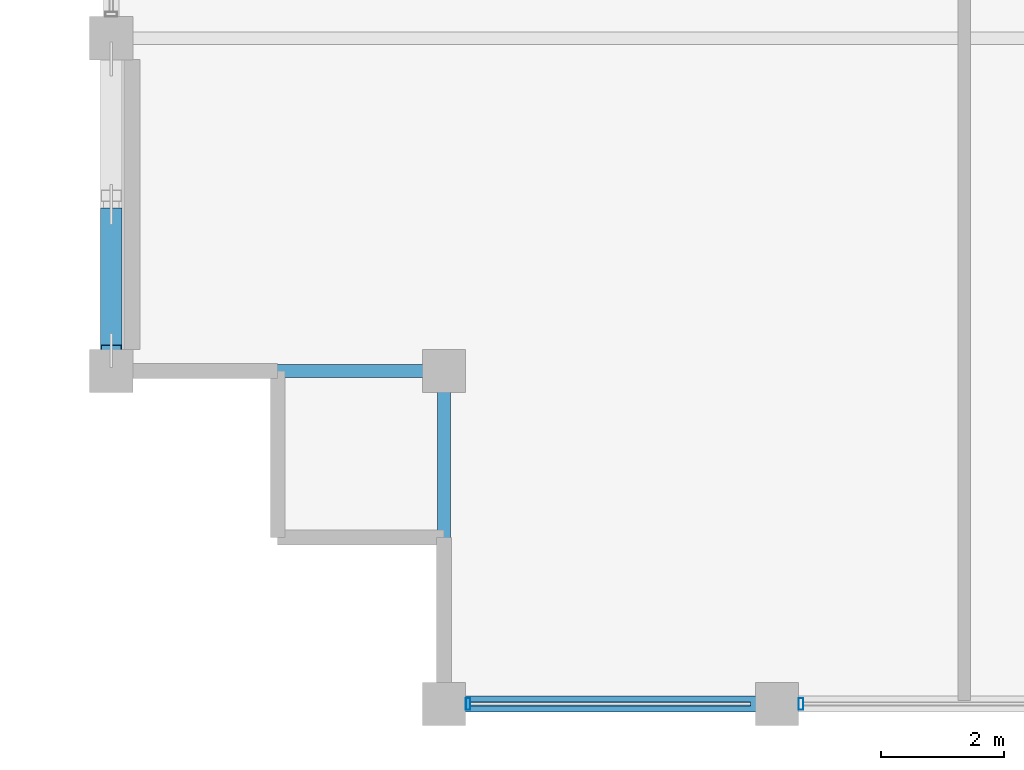
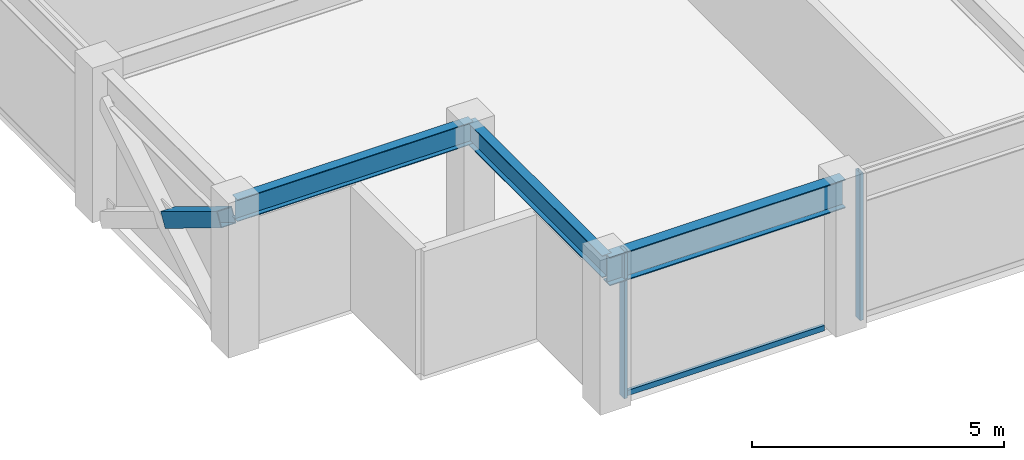
# One storey, part 2 of 32: 4 members, 3 beams, 1 element without a shape of its own.
"""IFC4 building model written with IfcOpenShell, lengths in metres."""

from ifc_helpers import new_model, si_unit, direction, frame, origin, origin_2d, place, context, subcontext, project, spatial, hollow_rectangle, i_section, extrude, material, layer, layer_set, material_profile, profile_set, type_object, element, aggregate, save


model = new_model("IFC4")

# Units and contexts
model_context = context("Model", 3, precision=1e-05, world=origin(), true_north=direction((0.0, 1.0)))
body_context = subcontext(model_context, "Body", "Model", "MODEL_VIEW")
ifc_project = project(units=[si_unit("LENGTHUNIT", "METRE"), si_unit("AREAUNIT", "SQUARE_METRE"), si_unit("VOLUMEUNIT", "CUBIC_METRE"), si_unit("PLANEANGLEUNIT", "RADIAN"), si_unit("MASSUNIT", "GRAM", prefix="KILO")], contexts=[model_context])

# Site, building, storey
site_placement = place(None, origin())
site = spatial("IfcSite", under=ifc_project, at=site_placement, CompositionType="ELEMENT")
building_placement = place(site_placement, origin())
building = spatial("IfcBuilding", under=site, at=building_placement, Name="Surkhivell Harbour Commons", CompositionType="ELEMENT")
storey_placement = place(building_placement, frame((0.0, 0.0, 311.25)))
storey = spatial("IfcBuildingStorey", under=building, at=storey_placement, Name="L81", CompositionType="ELEMENT", Elevation=311.25)

# Beams
ifc_material_1 = material(Name="Steel S355", Category="steel")
ifc_material_profile_1 = material_profile(ifc_material_1, i_section(OverallWidth=0.2099609375, OverallDepth=0.537109375, WebThickness=0.0107421875, FlangeThickness=0.017333984375, at=origin_2d()), Name="UB533x210x101")
ifc_profile_set_1 = profile_set([ifc_material_profile_1], Name="Steel S355")
beam_type_1 = type_object("IfcBeamType", Name="BM-GRD-533B", PredefinedType="BEAM", material=ifc_profile_set_1)
beam_1_placement = place(storey_placement, frame((-27.0, -16.199951171875, 3.301513671875), z_axis=(1.0, 0.0, 0.0), x_axis=(0.0, 1.0, 0.0)))
element("IfcBeam", 1, at=beam_1_placement, inside=storey, type_object=beam_type_1, Name="L81 Floor Girder (-27.0,-16.2)", PredefinedType="BEAM", context=body_context, shape_type="SweptSolid", body=[
    extrude(i_section(OverallWidth=0.2099609375, OverallDepth=0.537109375, WebThickness=0.0107421875, FlangeThickness=0.017333984375, at=origin_2d()), origin(), (0.0, 0.0, 1.0), 5.39990234375),
])
beam_2_placement = place(storey_placement, frame((-21.60009765625, -21.60009765625, 3.301513671875), z_axis=(0.0, 1.0, 0.0), x_axis=(-1.0, 0.0, 0.0)))
element("IfcBeam", 2, at=beam_2_placement, inside=storey, type_object=beam_type_1, Name="L81 Floor Girder (-21.6,-21.6)", PredefinedType="BEAM", context=body_context, shape_type="SweptSolid", body=[
    extrude(i_section(OverallWidth=0.2099609375, OverallDepth=0.537109375, WebThickness=0.0107421875, FlangeThickness=0.017333984375, at=origin_2d()), origin(), (0.0, 0.0, 1.0), 5.400146484375),
])
ifc_material_profile_2 = material_profile(ifc_material_1, i_section(OverallWidth=0.256103515625, OverallDepth=0.693115234375, WebThickness=0.014404296875, FlangeThickness=0.023681640625, at=origin_2d()), Name="UB686x254x170")
ifc_profile_set_2 = profile_set([ifc_material_profile_2], Name="Steel S355")
beam_type_2 = type_object("IfcBeamType", Name="BM-SPN-686", PredefinedType="SPANDREL", material=ifc_profile_set_2)
beam_3_placement = place(storey_placement, frame((-21.60009765625, -21.60009765625, 3.223388671875), z_axis=(1.0, 0.0, 0.0), x_axis=(0.0, 1.0, 0.0)))
element("IfcBeam", 3, at=beam_3_placement, inside=storey, type_object=beam_type_2, Name="L81 Tube Spandrel (-21.6,-21.6)", PredefinedType="SPANDREL", context=body_context, shape_type="SweptSolid", body=[
    extrude(i_section(OverallWidth=0.256103515625, OverallDepth=0.693115234375, WebThickness=0.014404296875, FlangeThickness=0.023681640625, at=origin_2d()), origin(), (0.0, 0.0, 1.0), 5.400146484375),
])

# Curtain wall, members
ifc_material_2 = material(Name="Anodised pale-metal aluminium and insulated glazing", Category="aluminium")
ifc_layer = layer(ifc_material_2, 0.175048828125)
ifc_layer_set = layer_set([ifc_layer], Name="Anodised pale-metal aluminium and insulated glazing")
curtain_wall_type = type_object("IfcCurtainWallType", Name="CW-SYS-Z4", PredefinedType="NOTDEFINED", material=ifc_layer_set)
curtain_wall_placement = place(storey_placement, origin())
curtain_wall = element("IfcCurtainWall", 4, at=curtain_wall_placement, inside=storey, type_object=curtain_wall_type, Name="L81 Curtain Wall CW-L81-E00S1", PredefinedType="NOTDEFINED")
ifc_material_3 = material(Name="Anodised pale-metal aluminium alloy 6063-T6", Category="aluminium")
ifc_material_profile_3 = material_profile(ifc_material_3, hollow_rectangle(XDim=0.074951171875, YDim=0.18994140625, WallThickness=0.00390625, at=origin_2d()), Name="ALU-MULL-75x190")
ifc_profile_set_3 = profile_set([ifc_material_profile_3], Name="Anodised pale-metal aluminium alloy 6063-T6")
member_type_1 = type_object("IfcMemberType", Name="CWM-190", PredefinedType="MULLION", material=ifc_profile_set_3)
member_1_placement = place(storey_placement, frame((-21.21044921875, -21.60009765625, 0.0), z_axis=(0.0, 0.0, 1.0), x_axis=(1.0, 0.0, 0.0)))
member_1 = element("IfcMember", 5, at=member_1_placement, type_object=member_type_1, Name="CW-Z4 mullion 1", PredefinedType="MULLION", context=body_context, shape_type="SweptSolid", body=[
    extrude(hollow_rectangle(XDim=0.074951171875, YDim=0.18994140625, WallThickness=0.00390625, at=origin_2d()), origin(), (0.0, 0.0, 1.0), 3.570068359375),
])
member_2_placement = place(storey_placement, frame((-15.810546875, -21.60009765625, 0.0), z_axis=(0.0, 0.0, 1.0), x_axis=(1.0, 0.0, 0.0)))
member_2 = element("IfcMember", 6, at=member_2_placement, type_object=member_type_1, Name="CW-Z4 mullion 2", PredefinedType="MULLION", context=body_context, shape_type="SweptSolid", body=[
    extrude(hollow_rectangle(XDim=0.074951171875, YDim=0.18994140625, WallThickness=0.00390625, at=origin_2d()), origin(), (0.0, 0.0, 1.0), 3.570068359375),
])
ifc_material_4 = material(Name="Champagne anodised aluminium alloy 6063-T6", Category="aluminium")
ifc_material_profile_4 = material_profile(ifc_material_4, hollow_rectangle(XDim=0.070068359375, YDim=0.1298828125, WallThickness=0.00341796875, at=origin_2d()), Name="ALU-TRAN-70x130")
ifc_profile_set_4 = profile_set([ifc_material_profile_4], Name="Champagne anodised aluminium alloy 6063-T6")
member_type_2 = type_object("IfcMemberType", Name="CWT-130", PredefinedType="USERDEFINED", material=ifc_profile_set_4)
member_3_placement = place(storey_placement, frame((-21.173095703125, -21.60009765625, 0.06494140625), z_axis=(1.0, 0.0, 0.0), x_axis=(0.0, 1.0, 0.0)))
member_3 = element("IfcMember", 7, at=member_3_placement, type_object=member_type_2, Name="CW-Z4 transom 1.1", ObjectType="TRANSOM", PredefinedType="USERDEFINED", context=body_context, shape_type="SweptSolid", body=[
    extrude(hollow_rectangle(XDim=0.070068359375, YDim=0.1298828125, WallThickness=0.00341796875, at=origin_2d()), origin(), (0.0, 0.0, 1.0), 4.546142578125),
])
aggregate(curtain_wall, [member_1, member_3, member_2])

# Member
ifc_material_profile_5 = material_profile(ifc_material_1, hollow_rectangle(XDim=0.35009765625, YDim=0.35009765625, WallThickness=0.01611328125, at=origin_2d()), Name="SHS350x350x16")
ifc_profile_set_5 = profile_set([ifc_material_profile_5], Name="Steel S355")
member_type_3 = type_object("IfcMemberType", Name="MEM-BRC-SHS350", PredefinedType="BRACE", material=ifc_profile_set_5)
member_4_placement = place(storey_placement, frame((-27.0, -13.6435546875, 1.53173828125), z_axis=(0.0, -0.854678858595, 0.51915705588), x_axis=(1.0, 0.0, 0.0)))
element("IfcMember", 8, at=member_4_placement, inside=storey, type_object=member_type_3, Name="L81 Perimeter Mega-Brace MB- 12", PredefinedType="BRACE", context=body_context, shape_type="SweptSolid", body=[
    extrude(hollow_rectangle(XDim=0.35009765625, YDim=0.35009765625, WallThickness=0.01611328125, at=origin_2d()), origin(), (0.0, 0.0, 1.0), 2.59912109375),
])

save(model, "model.ifc")
